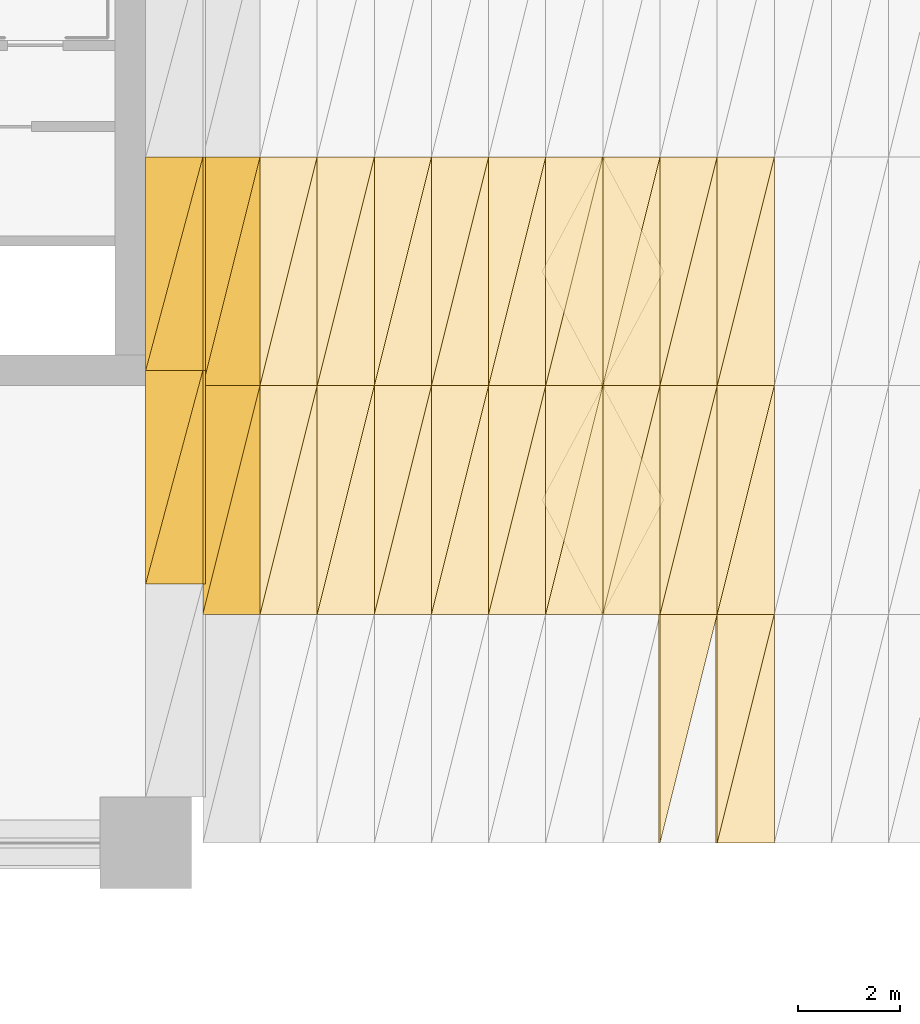
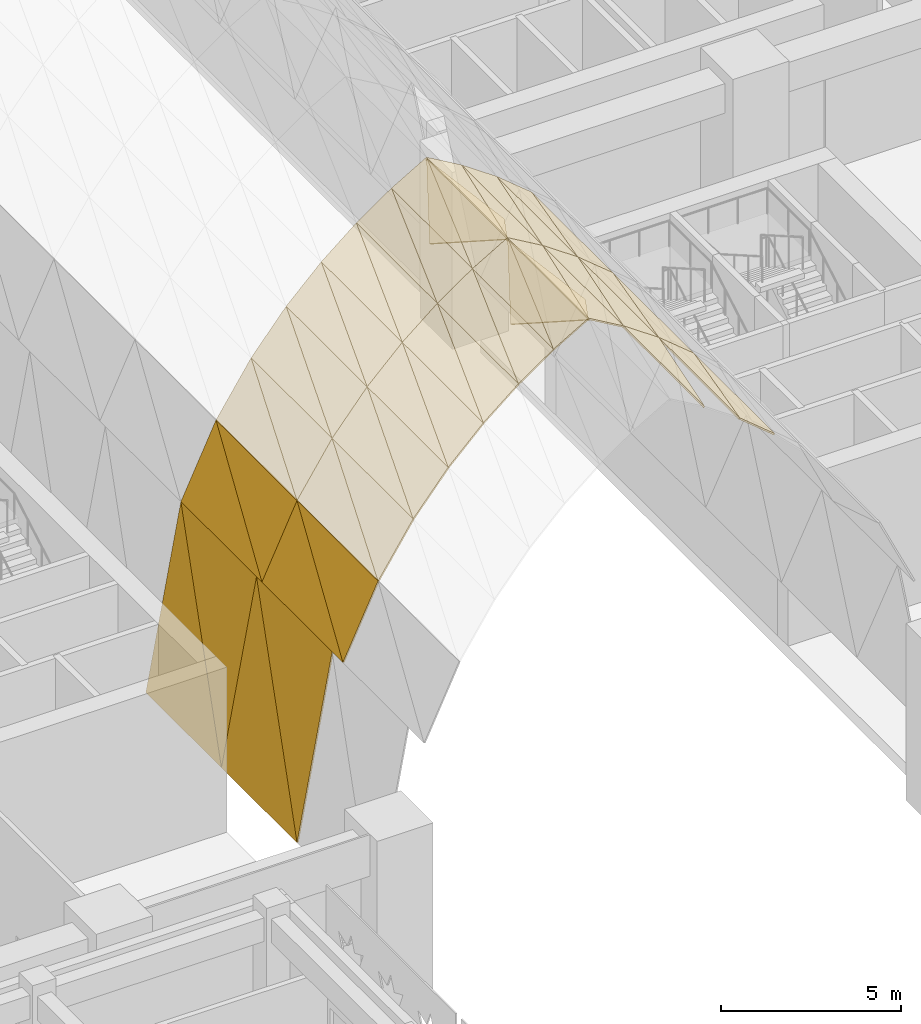
# One storey, part 33 of 46: 51 coverings.
"""IFC4 building model written with IfcOpenShell, lengths in metres."""

from ifc_helpers import new_model, si_unit, direction, frame, origin, place, context, subcontext, project, spatial, polyline, outline, extrude, material, layer, layer_set, type_object, element, save


model = new_model("IFC4")

# Units and contexts
model_context = context("Model", 3, precision=1e-05, world=origin(), true_north=direction((0.0, 1.0)))
body_context = subcontext(model_context, "Body", "Model", "MODEL_VIEW")
ifc_project = project(units=[si_unit("LENGTHUNIT", "METRE"), si_unit("AREAUNIT", "SQUARE_METRE"), si_unit("VOLUMEUNIT", "CUBIC_METRE"), si_unit("PLANEANGLEUNIT", "RADIAN"), si_unit("MASSUNIT", "GRAM", prefix="KILO")], contexts=[model_context])

# Site, building, storey
site_placement = place(None, origin())
site = spatial("IfcSite", under=ifc_project, at=site_placement, CompositionType="ELEMENT")
building_placement = place(site_placement, origin())
building = spatial("IfcBuilding", under=site, at=building_placement, Name="Tessera Arch", CompositionType="ELEMENT")
storey_placement = place(building_placement, frame((0.0, 0.0, 8.0)))
storey = spatial("IfcBuildingStorey", under=building, at=storey_placement, Name="L01", CompositionType="ELEMENT", Elevation=8.0)

# Coverings
ifc_material = material(Name="Aluminium cladding pale metal anodised", Category="aluminium")
ifc_layer = layer(ifc_material, 0.050048828125)
ifc_layer_set = layer_set([ifc_layer], Name="Arch soffit panel")
covering_type = type_object("IfcCoveringType", Name="Arch soffit panel", PredefinedType="CLADDING", material=ifc_layer_set)
covering_1_placement = place(storey_placement, frame((18.0, 5.10009765625, 2.0), z_axis=(-0.98331706381, 0.0, 0.181899840628), x_axis=(0.181899840628, 0.0, 0.98331706381)))
element("IfcCovering", 1, at=covering_1_placement, inside=storey, type_object=covering_type, Name="Arch soffit panel 1-2-1", PredefinedType="CLADDING", context=body_context, shape_type="SweptSolid", body=[
    extrude(outline(polyline([(0.0, 0.0), (6.184722296170829, 0.0), (6.184722296170829, 4.199951171875), (0.0, 0.0)])), origin(), (0.0, 0.0, -1.0), 0.050048828125),
])
covering_2_placement = place(storey_placement, frame((18.0, 5.10009765625, 2.0), z_axis=(-0.98331706381, 0.0, 0.181899840628), x_axis=(0.150481805158, 0.561792207927, 0.81347694585)))
element("IfcCovering", 2, at=covering_2_placement, inside=storey, type_object=covering_type, Name="Arch soffit panel 1-2-2", PredefinedType="CLADDING", context=body_context, shape_type="SweptSolid", body=[
    extrude(outline(polyline([(0.0, 0.0), (7.475986873108242, 4.440892098500626e-16), (2.3594998420322653, 3.474528794179709), (0.0, 0.0)])), origin(), (0.0, 0.0, -1.0), 0.050048828125),
])
covering_3_placement = place(storey_placement, frame((18.0, 9.300048828125, 2.0), z_axis=(-0.98331706381, 0.0, 0.181899840628), x_axis=(0.181899840628, 0.0, 0.98331706381)))
element("IfcCovering", 3, at=covering_3_placement, inside=storey, type_object=covering_type, Name="Arch soffit panel 1-3-1", PredefinedType="CLADDING", context=body_context, shape_type="SweptSolid", body=[
    extrude(outline(polyline([(0.0, 0.0), (6.184722296170829, 0.0), (6.184722296170829, 4.199951171875), (0.0, 0.0)])), origin(), (0.0, 0.0, -1.0), 0.050048828125),
])
covering_4_placement = place(storey_placement, frame((18.0, 9.300048828125, 2.0), z_axis=(-0.98331706381, 0.0, 0.181899840628), x_axis=(0.150481805158, 0.561792207927, 0.81347694585)))
element("IfcCovering", 4, at=covering_4_placement, inside=storey, type_object=covering_type, Name="Arch soffit panel 1-3-2", PredefinedType="CLADDING", context=body_context, shape_type="SweptSolid", body=[
    extrude(outline(polyline([(0.0, 0.0), (7.475986873108242, 4.440892098500626e-16), (2.3594998420322653, 3.474528794179709), (0.0, 0.0)])), origin(), (0.0, 0.0, -1.0), 0.050048828125),
])
covering_5_placement = place(storey_placement, frame((19.125, 4.5, 8.08154296875), z_axis=(-0.903430696756, 0.0, 0.428734155577), x_axis=(0.428734155577, 0.0, 0.903430696756)))
element("IfcCovering", 5, at=covering_5_placement, inside=storey, type_object=covering_type, Name="Arch soffit panel 2-2-1", PredefinedType="CLADDING", context=body_context, shape_type="SweptSolid", body=[
    extrude(outline(polyline([(0.0, 0.0), (2.624003675391368, 0.0), (2.624003675391368, 4.500000000000001), (0.0, 0.0)])), origin(), (0.0, 0.0, -1.0), 0.050048828125),
])
covering_6_placement = place(storey_placement, frame((19.125, 4.5, 8.08154296875), z_axis=(-0.903430696756, 0.0, 0.428734155577), x_axis=(0.215965533365, 0.863862133459, 0.455083621739)))
element("IfcCovering", 6, at=covering_6_placement, inside=storey, type_object=covering_type, Name="Arch soffit panel 2-2-2", PredefinedType="CLADDING", context=body_context, shape_type="SweptSolid", body=[
    extrude(outline(polyline([(0.0, 0.0), (5.209164548031422, 0.0), (3.887379600564281, 2.2667774132271337), (0.0, 0.0)])), origin(), (0.0, 0.0, -1.0), 0.050048828125),
])
covering_7_placement = place(storey_placement, frame((19.125, 9.0, 8.08154296875), z_axis=(-0.903430696756, 0.0, 0.428734155577), x_axis=(0.428734155577, 0.0, 0.903430696756)))
element("IfcCovering", 7, at=covering_7_placement, inside=storey, type_object=covering_type, Name="Arch soffit panel 2-3-1", PredefinedType="CLADDING", context=body_context, shape_type="SweptSolid", body=[
    extrude(outline(polyline([(0.0, 0.0), (2.624003675391368, 0.0), (2.624003675391368, 4.500000000000001), (0.0, 0.0)])), origin(), (0.0, 0.0, -1.0), 0.050048828125),
])
covering_8_placement = place(storey_placement, frame((19.125, 9.0, 8.08154296875), z_axis=(-0.903430696756, 0.0, 0.428734155577), x_axis=(0.215965533365, 0.863862133459, 0.455083621739)))
element("IfcCovering", 8, at=covering_8_placement, inside=storey, type_object=covering_type, Name="Arch soffit panel 2-3-2", PredefinedType="CLADDING", context=body_context, shape_type="SweptSolid", body=[
    extrude(outline(polyline([(0.0, 0.0), (5.209164548031422, 0.0), (3.887379600564281, 2.2667774132271337), (0.0, 0.0)])), origin(), (0.0, 0.0, -1.0), 0.050048828125),
])
covering_9_placement = place(storey_placement, frame((20.25, 4.5, 10.4521484375), z_axis=(-0.836058150895, 0.0, 0.548640837272), x_axis=(0.548640837272, 0.0, 0.836058150895)))
element("IfcCovering", 9, at=covering_9_placement, inside=storey, type_object=covering_type, Name="Arch soffit panel 3-2-1", PredefinedType="CLADDING", context=body_context, shape_type="SweptSolid", body=[
    extrude(outline(polyline([(0.0, 0.0), (2.050521805110356, 0.0), (2.050521805110356, 4.500000000000001), (0.0, 0.0)])), origin(), (0.0, 0.0, -1.0), 0.050048828125),
])
covering_10_placement = place(storey_placement, frame((20.25, 4.5, 10.4521484375), z_axis=(-0.836058150895, 0.0, 0.548640837272), x_axis=(0.227495016996, 0.909980067983, 0.346673179111)))
element("IfcCovering", 10, at=covering_10_placement, inside=storey, type_object=covering_type, Name="Arch soffit panel 3-2-2", PredefinedType="CLADDING", context=body_context, shape_type="SweptSolid", body=[
    extrude(outline(polyline([(0.0, 0.0), (4.945163260523664, 0.0), (4.094910305924995, 1.8659339716156267), (0.0, 0.0)])), origin(), (0.0, 0.0, -1.0), 0.050048828125),
])
covering_11_placement = place(storey_placement, frame((20.25, 9.0, 10.4521484375), z_axis=(-0.836058150895, 0.0, 0.548640837272), x_axis=(0.548640837272, 0.0, 0.836058150895)))
element("IfcCovering", 11, at=covering_11_placement, inside=storey, type_object=covering_type, Name="Arch soffit panel 3-3-1", PredefinedType="CLADDING", context=body_context, shape_type="SweptSolid", body=[
    extrude(outline(polyline([(0.0, 0.0), (2.050521805110356, 0.0), (2.050521805110356, 4.500000000000001), (0.0, 0.0)])), origin(), (0.0, 0.0, -1.0), 0.050048828125),
])
covering_12_placement = place(storey_placement, frame((20.25, 9.0, 10.4521484375), z_axis=(-0.836058150895, 0.0, 0.548640837272), x_axis=(0.227495016996, 0.909980067983, 0.346673179111)))
element("IfcCovering", 12, at=covering_12_placement, inside=storey, type_object=covering_type, Name="Arch soffit panel 3-3-2", PredefinedType="CLADDING", context=body_context, shape_type="SweptSolid", body=[
    extrude(outline(polyline([(0.0, 0.0), (4.945163260523664, 0.0), (4.094910305924995, 1.8659339716156267), (0.0, 0.0)])), origin(), (0.0, 0.0, -1.0), 0.050048828125),
])
covering_13_placement = place(storey_placement, frame((21.375, 4.5, 12.16650390625), z_axis=(-0.769435590456, 0.0, 0.638724410164), x_axis=(0.638724410164, 0.0, 0.769435590456)))
element("IfcCovering", 13, at=covering_13_placement, inside=storey, type_object=covering_type, Name="Arch soffit panel 4-2-1", PredefinedType="CLADDING", context=body_context, shape_type="SweptSolid", body=[
    extrude(outline(polyline([(0.0, 0.0), (1.7613230089496987, 0.0), (1.7613230089496987, 4.5), (0.0, 0.0)])), origin(), (0.0, 0.0, -1.0), 0.050048828125),
])
covering_14_placement = place(storey_placement, frame((21.375, 4.5, 12.16650390625), z_axis=(-0.769435590456, 0.0, 0.638724410164), x_axis=(0.232802733554, 0.931210934214, 0.280444438793)))
element("IfcCovering", 14, at=covering_14_placement, inside=storey, type_object=covering_type, Name="Arch soffit panel 4-2-2", PredefinedType="CLADDING", context=body_context, shape_type="SweptSolid", body=[
    extrude(outline(polyline([(0.0, 0.0), (4.832417484226257, 2.220446049250313e-16), (4.190449203964491, 1.640163244617246), (0.0, 0.0)])), origin(), (0.0, 0.0, -1.0), 0.050048828125),
])
covering_15_placement = place(storey_placement, frame((21.375, 9.0, 12.16650390625), z_axis=(-0.769435590456, 0.0, 0.638724410164), x_axis=(0.638724410164, 0.0, 0.769435590456)))
element("IfcCovering", 15, at=covering_15_placement, inside=storey, type_object=covering_type, Name="Arch soffit panel 4-3-1", PredefinedType="CLADDING", context=body_context, shape_type="SweptSolid", body=[
    extrude(outline(polyline([(0.0, 0.0), (1.7613230089496987, 0.0), (1.7613230089496987, 4.5), (0.0, 0.0)])), origin(), (0.0, 0.0, -1.0), 0.050048828125),
])
covering_16_placement = place(storey_placement, frame((21.375, 9.0, 12.16650390625), z_axis=(-0.769435590456, 0.0, 0.638724410164), x_axis=(0.232802733554, 0.931210934214, 0.280444438793)))
element("IfcCovering", 16, at=covering_16_placement, inside=storey, type_object=covering_type, Name="Arch soffit panel 4-3-2", PredefinedType="CLADDING", context=body_context, shape_type="SweptSolid", body=[
    extrude(outline(polyline([(0.0, 0.0), (4.832417484226257, 2.220446049250313e-16), (4.190449203964491, 1.640163244617246), (0.0, 0.0)])), origin(), (0.0, 0.0, -1.0), 0.050048828125),
])
covering_17_placement = place(storey_placement, frame((22.5, 4.5, 13.521728515625), z_axis=(-0.70300502251, 0.0, 0.711184883364), x_axis=(0.711184883364, 0.0, 0.70300502251)))
element("IfcCovering", 17, at=covering_17_placement, inside=storey, type_object=covering_type, Name="Arch soffit panel 5-2-1", PredefinedType="CLADDING", context=body_context, shape_type="SweptSolid", body=[
    extrude(outline(polyline([(0.0, 0.0), (1.5818671435730385, 0.0), (1.5818671435730385, 4.5), (0.0, 0.0)])), origin(), (0.0, 0.0, -1.0), 0.050048828125),
])
covering_18_placement = place(storey_placement, frame((22.5, 4.5, 13.521728515625), z_axis=(-0.70300502251, 0.0, 0.711184883364), x_axis=(0.235852147397, 0.943408589587, 0.233139438236)))
element("IfcCovering", 18, at=covering_18_placement, inside=storey, type_object=covering_type, Name="Arch soffit panel 5-2-2", PredefinedType="CLADDING", context=body_context, shape_type="SweptSolid", body=[
    extrude(outline(polyline([(0.0, 0.0), (4.769937490147635, 0.0), (4.245338653143071, 1.4923470508328087), (0.0, 0.0)])), origin(), (0.0, 0.0, -1.0), 0.050048828125),
])
covering_19_placement = place(storey_placement, frame((22.5, 9.0, 13.521728515625), z_axis=(-0.70300502251, 0.0, 0.711184883364), x_axis=(0.711184883364, 0.0, 0.70300502251)))
element("IfcCovering", 19, at=covering_19_placement, inside=storey, type_object=covering_type, Name="Arch soffit panel 5-3-1", PredefinedType="CLADDING", context=body_context, shape_type="SweptSolid", body=[
    extrude(outline(polyline([(0.0, 0.0), (1.5818671435730385, 0.0), (1.5818671435730385, 4.5), (0.0, 0.0)])), origin(), (0.0, 0.0, -1.0), 0.050048828125),
])
covering_20_placement = place(storey_placement, frame((22.5, 9.0, 13.521728515625), z_axis=(-0.70300502251, 0.0, 0.711184883364), x_axis=(0.235852147397, 0.943408589587, 0.233139438236)))
element("IfcCovering", 20, at=covering_20_placement, inside=storey, type_object=covering_type, Name="Arch soffit panel 5-3-2", PredefinedType="CLADDING", context=body_context, shape_type="SweptSolid", body=[
    extrude(outline(polyline([(0.0, 0.0), (4.769937490147635, 0.0), (4.245338653143071, 1.4923470508328087), (0.0, 0.0)])), origin(), (0.0, 0.0, -1.0), 0.050048828125),
])
covering_21_placement = place(storey_placement, frame((23.625, 4.5, 14.6337890625), z_axis=(-0.636621915226, 0.0, 0.771176073964), x_axis=(0.771176073964, 0.0, 0.636621915226)))
element("IfcCovering", 21, at=covering_21_placement, inside=storey, type_object=covering_type, Name="Arch soffit panel 6-2-1", PredefinedType="CLADDING", context=body_context, shape_type="SweptSolid", body=[
    extrude(outline(polyline([(0.0, 0.0), (1.4588108189316835, 0.0), (1.4588108189316835, 4.5), (0.0, 0.0)])), origin(), (0.0, 0.0, -1.0), 0.050048828125),
])
covering_22_placement = place(storey_placement, frame((23.625, 4.5, 14.6337890625), z_axis=(-0.636621915226, 0.0, 0.771176073964), x_axis=(0.237815762211, 0.951263048844, 0.1963218662)))
element("IfcCovering", 22, at=covering_22_placement, inside=storey, type_object=covering_type, Name="Arch soffit panel 6-2-2", PredefinedType="CLADDING", context=body_context, shape_type="SweptSolid", body=[
    extrude(outline(polyline([(0.0, 0.0), (4.730552716695177, 1.1102230246251565e-16), (4.280683719797313, 1.3877128273033432), (0.0, 0.0)])), origin(), (0.0, 0.0, -1.0), 0.050048828125),
])
covering_23_placement = place(storey_placement, frame((23.625, 9.0, 14.6337890625), z_axis=(-0.636621915226, 0.0, 0.771176073964), x_axis=(0.771176073964, 0.0, 0.636621915226)))
element("IfcCovering", 23, at=covering_23_placement, inside=storey, type_object=covering_type, Name="Arch soffit panel 6-3-1", PredefinedType="CLADDING", context=body_context, shape_type="SweptSolid", body=[
    extrude(outline(polyline([(0.0, 0.0), (1.4588108189316835, 0.0), (1.4588108189316835, 4.5), (0.0, 0.0)])), origin(), (0.0, 0.0, -1.0), 0.050048828125),
])
covering_24_placement = place(storey_placement, frame((23.625, 9.0, 14.6337890625), z_axis=(-0.636621915226, 0.0, 0.771176073964), x_axis=(0.237815762211, 0.951263048844, 0.1963218662)))
element("IfcCovering", 24, at=covering_24_placement, inside=storey, type_object=covering_type, Name="Arch soffit panel 6-3-2", PredefinedType="CLADDING", context=body_context, shape_type="SweptSolid", body=[
    extrude(outline(polyline([(0.0, 0.0), (4.730552716695177, 1.1102230246251565e-16), (4.280683719797313, 1.3877128273033432), (0.0, 0.0)])), origin(), (0.0, 0.0, -1.0), 0.050048828125),
])
covering_25_placement = place(storey_placement, frame((24.75, 4.5, 15.5625), z_axis=(-0.570275535921, 0.0, 0.821453475938), x_axis=(0.821453475938, 0.0, 0.570275535921)))
element("IfcCovering", 25, at=covering_25_placement, inside=storey, type_object=covering_type, Name="Arch soffit panel 7-2-1", PredefinedType="CLADDING", context=body_context, shape_type="SweptSolid", body=[
    extrude(outline(polyline([(0.0, 0.0), (1.3695236954423544, 0.0), (1.3695236954423544, 4.5), (0.0, 0.0)])), origin(), (0.0, 0.0, -1.0), 0.050048828125),
])
covering_26_placement = place(storey_placement, frame((24.75, 4.5, 15.5625), z_axis=(-0.570275535921, 0.0, 0.821453475938), x_axis=(0.239169084806, 0.956676339224, 0.166037739213)))
element("IfcCovering", 26, at=covering_26_placement, inside=storey, type_object=covering_type, Name="Arch soffit panel 7-2-2", PredefinedType="CLADDING", context=body_context, shape_type="SweptSolid", body=[
    extrude(outline(polyline([(0.0, 0.0), (4.703785194115276, 1.6653345369377348e-16), (4.305043526505844, 1.3101909154356595), (0.0, 0.0)])), origin(), (0.0, 0.0, -1.0), 0.050048828125),
])
covering_27_placement = place(storey_placement, frame((24.75, 9.0, 15.5625), z_axis=(-0.570275535921, 0.0, 0.821453475938), x_axis=(0.821453475938, 0.0, 0.570275535921)))
element("IfcCovering", 27, at=covering_27_placement, inside=storey, type_object=covering_type, Name="Arch soffit panel 7-3-1", PredefinedType="CLADDING", context=body_context, shape_type="SweptSolid", body=[
    extrude(outline(polyline([(0.0, 0.0), (1.3695236954423544, 0.0), (1.3695236954423544, 4.5), (0.0, 0.0)])), origin(), (0.0, 0.0, -1.0), 0.050048828125),
])
covering_28_placement = place(storey_placement, frame((24.75, 9.0, 15.5625), z_axis=(-0.570275535921, 0.0, 0.821453475938), x_axis=(0.239169084806, 0.956676339224, 0.166037739213)))
element("IfcCovering", 28, at=covering_28_placement, inside=storey, type_object=covering_type, Name="Arch soffit panel 7-3-2", PredefinedType="CLADDING", context=body_context, shape_type="SweptSolid", body=[
    extrude(outline(polyline([(0.0, 0.0), (4.703785194115276, 1.6653345369377348e-16), (4.305043526505844, 1.3101909154356595), (0.0, 0.0)])), origin(), (0.0, 0.0, -1.0), 0.050048828125),
])
covering_29_placement = place(storey_placement, frame((25.875, 4.5, 16.343505859375), z_axis=(-0.504010866283, 0.0, 0.863697311949), x_axis=(0.863697311949, 0.0, 0.504010866283)))
element("IfcCovering", 29, at=covering_29_placement, inside=storey, type_object=covering_type, Name="Arch soffit panel 8-2-1", PredefinedType="CLADDING", context=body_context, shape_type="SweptSolid", body=[
    extrude(outline(polyline([(0.0, 0.0), (1.3025396564692215, 0.0), (1.3025396564692215, 4.5), (0.0, 0.0)])), origin(), (0.0, 0.0, -1.0), 0.050048828125),
])
covering_30_placement = place(storey_placement, frame((25.875, 4.5, 16.343505859375), z_axis=(-0.504010866283, 0.0, 0.863697311949), x_axis=(0.240142376268, 0.960569505072, 0.140135167054)))
element("IfcCovering", 30, at=covering_30_placement, inside=storey, type_object=covering_type, Name="Arch soffit panel 8-2-2", PredefinedType="CLADDING", context=body_context, shape_type="SweptSolid", body=[
    extrude(outline(polyline([(0.0, 0.0), (4.684720862193921, 1.6653345369377348e-16), (4.322562772825837, 1.2511798731518247), (0.0, 0.0)])), origin(), (0.0, 0.0, -1.0), 0.050048828125),
])
covering_31_placement = place(storey_placement, frame((25.875, 9.0, 16.343505859375), z_axis=(-0.504010866283, 0.0, 0.863697311949), x_axis=(0.863697311949, 0.0, 0.504010866283)))
element("IfcCovering", 31, at=covering_31_placement, inside=storey, type_object=covering_type, Name="Arch soffit panel 8-3-1", PredefinedType="CLADDING", context=body_context, shape_type="SweptSolid", body=[
    extrude(outline(polyline([(0.0, 0.0), (1.3025396564692215, 0.0), (1.3025396564692215, 4.5), (0.0, 0.0)])), origin(), (0.0, 0.0, -1.0), 0.050048828125),
])
covering_32_placement = place(storey_placement, frame((25.875, 9.0, 16.343505859375), z_axis=(-0.504010866283, 0.0, 0.863697311949), x_axis=(0.240142376268, 0.960569505072, 0.140135167054)))
element("IfcCovering", 32, at=covering_32_placement, inside=storey, type_object=covering_type, Name="Arch soffit panel 8-3-2", PredefinedType="CLADDING", context=body_context, shape_type="SweptSolid", body=[
    extrude(outline(polyline([(0.0, 0.0), (4.684720862193921, 1.6653345369377348e-16), (4.322562772825837, 1.2511798731518247), (0.0, 0.0)])), origin(), (0.0, 0.0, -1.0), 0.050048828125),
])
covering_33_placement = place(storey_placement, frame((27.0, 4.5, 17.0), z_axis=(0.504010866283, 0.0, 0.863697311949), x_axis=(0.863697311949, 0.0, -0.504010866283)))
element("IfcCovering", 33, at=covering_33_placement, inside=storey, type_object=covering_type, Name="Arch soffit panel 9-2-1", PredefinedType="CLADDING", context=body_context, shape_type="SweptSolid", body=[
    extrude(outline(polyline([(0.0, 0.0), (1.3025396564692215, 0.0), (1.3025396564692215, 4.5), (0.0, 0.0)])), origin(), (0.0, 0.0, -1.0), 0.050048828125),
])
covering_34_placement = place(storey_placement, frame((27.0, 4.5, 17.0), z_axis=(0.504010866283, 0.0, 0.863697311949), x_axis=(0.240142376268, 0.960569505072, -0.140135167054)))
element("IfcCovering", 34, at=covering_34_placement, inside=storey, type_object=covering_type, Name="Arch soffit panel 9-2-2", PredefinedType="CLADDING", context=body_context, shape_type="SweptSolid", body=[
    extrude(outline(polyline([(0.0, 0.0), (4.684720862193921, 1.6653345369377348e-16), (4.322562772825837, 1.2511798731518247), (0.0, 0.0)])), origin(), (0.0, 0.0, -1.0), 0.050048828125),
])
covering_35_placement = place(storey_placement, frame((27.0, 9.0, 17.0), z_axis=(0.504010866283, 0.0, 0.863697311949), x_axis=(0.863697311949, 0.0, -0.504010866283)))
element("IfcCovering", 35, at=covering_35_placement, inside=storey, type_object=covering_type, Name="Arch soffit panel 9-3-1", PredefinedType="CLADDING", context=body_context, shape_type="SweptSolid", body=[
    extrude(outline(polyline([(0.0, 0.0), (1.3025396564692215, 0.0), (1.3025396564692215, 4.5), (0.0, 0.0)])), origin(), (0.0, 0.0, -1.0), 0.050048828125),
])
covering_36_placement = place(storey_placement, frame((27.0, 9.0, 17.0), z_axis=(0.504010866283, 0.0, 0.863697311949), x_axis=(0.240142376268, 0.960569505072, -0.140135167054)))
element("IfcCovering", 36, at=covering_36_placement, inside=storey, type_object=covering_type, Name="Arch soffit panel 9-3-2", PredefinedType="CLADDING", context=body_context, shape_type="SweptSolid", body=[
    extrude(outline(polyline([(0.0, 0.0), (4.684720862193921, 1.6653345369377348e-16), (4.322562772825837, 1.2511798731518247), (0.0, 0.0)])), origin(), (0.0, 0.0, -1.0), 0.050048828125),
])
covering_37_placement = place(storey_placement, frame((28.125, 0.0, 16.343505859375), z_axis=(0.570275535921, 0.0, 0.821453475938), x_axis=(0.239169084806, 0.956676339224, -0.166037739213)))
element("IfcCovering", 37, at=covering_37_placement, inside=storey, type_object=covering_type, Name="Arch soffit panel 10-1-2", PredefinedType="CLADDING", context=body_context, shape_type="SweptSolid", body=[
    extrude(outline(polyline([(0.0, 0.0), (4.703785194115276, 1.6653345369377348e-16), (4.305043526505844, 1.3101909154356595), (0.0, 0.0)])), origin(), (0.0, 0.0, -1.0), 0.050048828125),
])
covering_38_placement = place(storey_placement, frame((28.125, 4.5, 16.343505859375), z_axis=(0.570275535921, 0.0, 0.821453475938), x_axis=(0.821453475938, 0.0, -0.570275535921)))
element("IfcCovering", 38, at=covering_38_placement, inside=storey, type_object=covering_type, Name="Arch soffit panel 10-2-1", PredefinedType="CLADDING", context=body_context, shape_type="SweptSolid", body=[
    extrude(outline(polyline([(0.0, 0.0), (1.3695236954423544, 0.0), (1.3695236954423544, 4.5), (0.0, 0.0)])), origin(), (0.0, 0.0, -1.0), 0.050048828125),
])
covering_39_placement = place(storey_placement, frame((28.125, 4.5, 16.343505859375), z_axis=(0.570275535921, 0.0, 0.821453475938), x_axis=(0.239169084806, 0.956676339224, -0.166037739213)))
element("IfcCovering", 39, at=covering_39_placement, inside=storey, type_object=covering_type, Name="Arch soffit panel 10-2-2", PredefinedType="CLADDING", context=body_context, shape_type="SweptSolid", body=[
    extrude(outline(polyline([(0.0, 0.0), (4.703785194115276, 1.6653345369377348e-16), (4.305043526505844, 1.3101909154356595), (0.0, 0.0)])), origin(), (0.0, 0.0, -1.0), 0.050048828125),
])
covering_40_placement = place(storey_placement, frame((28.125, 9.0, 16.343505859375), z_axis=(0.570275535921, 0.0, 0.821453475938), x_axis=(0.821453475938, 0.0, -0.570275535921)))
element("IfcCovering", 40, at=covering_40_placement, inside=storey, type_object=covering_type, Name="Arch soffit panel 10-3-1", PredefinedType="CLADDING", context=body_context, shape_type="SweptSolid", body=[
    extrude(outline(polyline([(0.0, 0.0), (1.3695236954423544, 0.0), (1.3695236954423544, 4.5), (0.0, 0.0)])), origin(), (0.0, 0.0, -1.0), 0.050048828125),
])
covering_41_placement = place(storey_placement, frame((28.125, 9.0, 16.343505859375), z_axis=(0.570275535921, 0.0, 0.821453475938), x_axis=(0.239169084806, 0.956676339224, -0.166037739213)))
element("IfcCovering", 41, at=covering_41_placement, inside=storey, type_object=covering_type, Name="Arch soffit panel 10-3-2", PredefinedType="CLADDING", context=body_context, shape_type="SweptSolid", body=[
    extrude(outline(polyline([(0.0, 0.0), (4.703785194115276, 1.6653345369377348e-16), (4.305043526505844, 1.3101909154356595), (0.0, 0.0)])), origin(), (0.0, 0.0, -1.0), 0.050048828125),
])
covering_42_placement = place(storey_placement, frame((29.25, 0.0, 15.5625), z_axis=(0.636621915226, 0.0, 0.771176073964), x_axis=(0.771176073964, 0.0, -0.636621915226)))
element("IfcCovering", 42, at=covering_42_placement, inside=storey, type_object=covering_type, Name="Arch soffit panel 11-1-1", PredefinedType="CLADDING", context=body_context, shape_type="SweptSolid", body=[
    extrude(outline(polyline([(0.0, 0.0), (1.4588108189316835, 0.0), (1.4588108189316835, 4.5), (0.0, 0.0)])), origin(), (0.0, 0.0, -1.0), 0.050048828125),
])
covering_43_placement = place(storey_placement, frame((29.25, 0.0, 15.5625), z_axis=(0.636621915226, 0.0, 0.771176073964), x_axis=(0.237815762211, 0.951263048844, -0.1963218662)))
element("IfcCovering", 43, at=covering_43_placement, inside=storey, type_object=covering_type, Name="Arch soffit panel 11-1-2", PredefinedType="CLADDING", context=body_context, shape_type="SweptSolid", body=[
    extrude(outline(polyline([(0.0, 0.0), (4.730552716695177, 1.1102230246251565e-16), (4.280683719797313, 1.3877128273033432), (0.0, 0.0)])), origin(), (0.0, 0.0, -1.0), 0.050048828125),
])
covering_44_placement = place(storey_placement, frame((29.25, 4.5, 15.5625), z_axis=(0.636621915226, 0.0, 0.771176073964), x_axis=(0.771176073964, 0.0, -0.636621915226)))
element("IfcCovering", 44, at=covering_44_placement, inside=storey, type_object=covering_type, Name="Arch soffit panel 11-2-1", PredefinedType="CLADDING", context=body_context, shape_type="SweptSolid", body=[
    extrude(outline(polyline([(0.0, 0.0), (1.4588108189316835, 0.0), (1.4588108189316835, 4.5), (0.0, 0.0)])), origin(), (0.0, 0.0, -1.0), 0.050048828125),
])
covering_45_placement = place(storey_placement, frame((29.25, 4.5, 15.5625), z_axis=(0.636621915226, 0.0, 0.771176073964), x_axis=(0.237815762211, 0.951263048844, -0.1963218662)))
element("IfcCovering", 45, at=covering_45_placement, inside=storey, type_object=covering_type, Name="Arch soffit panel 11-2-2", PredefinedType="CLADDING", context=body_context, shape_type="SweptSolid", body=[
    extrude(outline(polyline([(0.0, 0.0), (4.730552716695177, 1.1102230246251565e-16), (4.280683719797313, 1.3877128273033432), (0.0, 0.0)])), origin(), (0.0, 0.0, -1.0), 0.050048828125),
])
covering_46_placement = place(storey_placement, frame((29.25, 9.0, 15.5625), z_axis=(0.636621915226, 0.0, 0.771176073964), x_axis=(0.771176073964, 0.0, -0.636621915226)))
element("IfcCovering", 46, at=covering_46_placement, inside=storey, type_object=covering_type, Name="Arch soffit panel 11-3-1", PredefinedType="CLADDING", context=body_context, shape_type="SweptSolid", body=[
    extrude(outline(polyline([(0.0, 0.0), (1.4588108189316835, 0.0), (1.4588108189316835, 4.5), (0.0, 0.0)])), origin(), (0.0, 0.0, -1.0), 0.050048828125),
])
covering_47_placement = place(storey_placement, frame((29.25, 9.0, 15.5625), z_axis=(0.636621915226, 0.0, 0.771176073964), x_axis=(0.237815762211, 0.951263048844, -0.1963218662)))
element("IfcCovering", 47, at=covering_47_placement, inside=storey, type_object=covering_type, Name="Arch soffit panel 11-3-2", PredefinedType="CLADDING", context=body_context, shape_type="SweptSolid", body=[
    extrude(outline(polyline([(0.0, 0.0), (4.730552716695177, 1.1102230246251565e-16), (4.280683719797313, 1.3877128273033432), (0.0, 0.0)])), origin(), (0.0, 0.0, -1.0), 0.050048828125),
])
covering_48_placement = place(storey_placement, frame((27.0, 4.5, 16.949951171875), z_axis=(-0.675690668518, 0.0, 0.737185268761), x_axis=(0.0, 1.0, 0.0)))
element("IfcCovering", 48, at=covering_48_placement, inside=storey, type_object=covering_type, Name="Arch soffit facet W2", PredefinedType="CLADDING", context=body_context, shape_type="SweptSolid", body=[
    extrude(outline(polyline([(0.0, 0.0), (4.5, 0.0), (2.25, 1.6277470843828468), (0.0, 0.0)])), origin(), (0.0, 0.0, -1.0), 0.050048828125),
])
covering_49_placement = place(storey_placement, frame((27.0, 4.5, 16.949951171875), z_axis=(0.675690668518, 0.0, 0.737185268761), x_axis=(0.0, 1.0, 0.0)))
element("IfcCovering", 49, at=covering_49_placement, inside=storey, type_object=covering_type, Name="Arch soffit facet E2", PredefinedType="CLADDING", context=body_context, shape_type="SweptSolid", body=[
    extrude(outline(polyline([(0.0, 0.0), (4.5, 0.0), (2.25, -1.6277470843828468), (0.0, 0.0)])), origin(), (0.0, 0.0, -1.0), 0.050048828125),
])
covering_50_placement = place(storey_placement, frame((27.0, 9.0, 16.949951171875), z_axis=(-0.675690668518, 0.0, 0.737185268761), x_axis=(0.0, 1.0, 0.0)))
element("IfcCovering", 50, at=covering_50_placement, inside=storey, type_object=covering_type, Name="Arch soffit facet W3", PredefinedType="CLADDING", context=body_context, shape_type="SweptSolid", body=[
    extrude(outline(polyline([(0.0, 0.0), (4.5, 0.0), (2.25, 1.6277470843828468), (0.0, 0.0)])), origin(), (0.0, 0.0, -1.0), 0.050048828125),
])
covering_51_placement = place(storey_placement, frame((27.0, 9.0, 16.949951171875), z_axis=(0.675690668518, 0.0, 0.737185268761), x_axis=(0.0, 1.0, 0.0)))
element("IfcCovering", 51, at=covering_51_placement, inside=storey, type_object=covering_type, Name="Arch soffit facet E3", PredefinedType="CLADDING", context=body_context, shape_type="SweptSolid", body=[
    extrude(outline(polyline([(0.0, 0.0), (4.5, 0.0), (2.25, -1.6277470843828468), (0.0, 0.0)])), origin(), (0.0, 0.0, -1.0), 0.050048828125),
])

save(model, "model.ifc")
